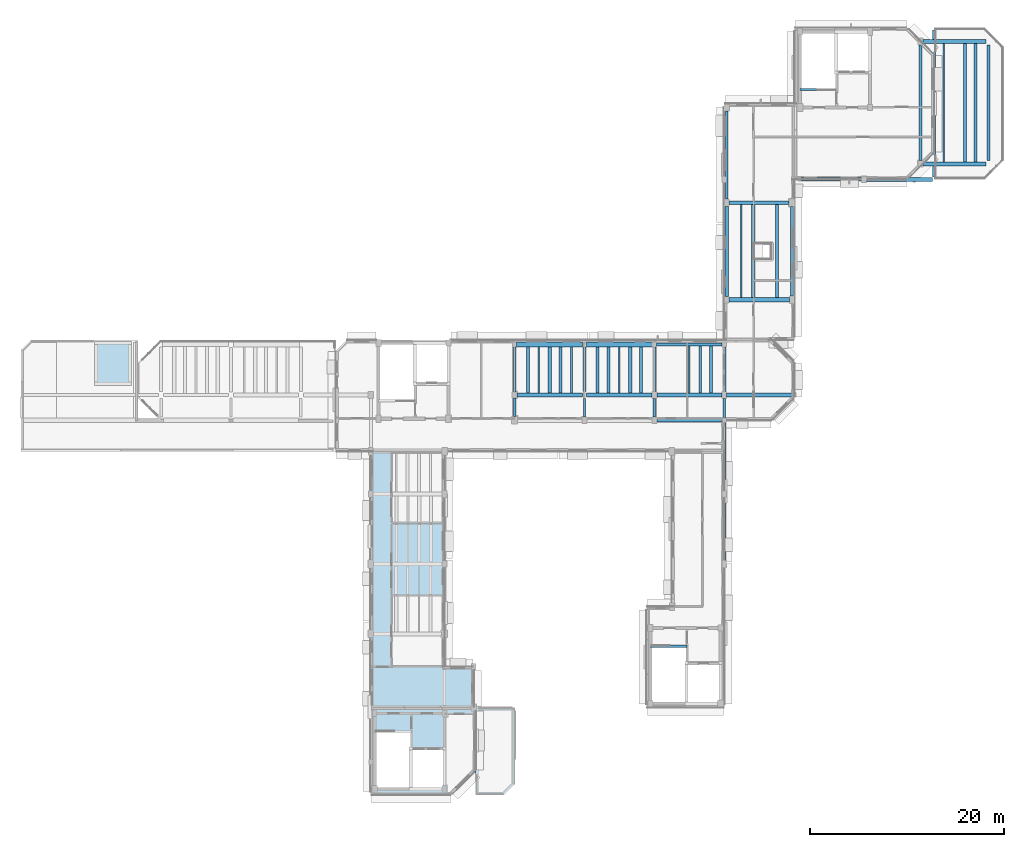
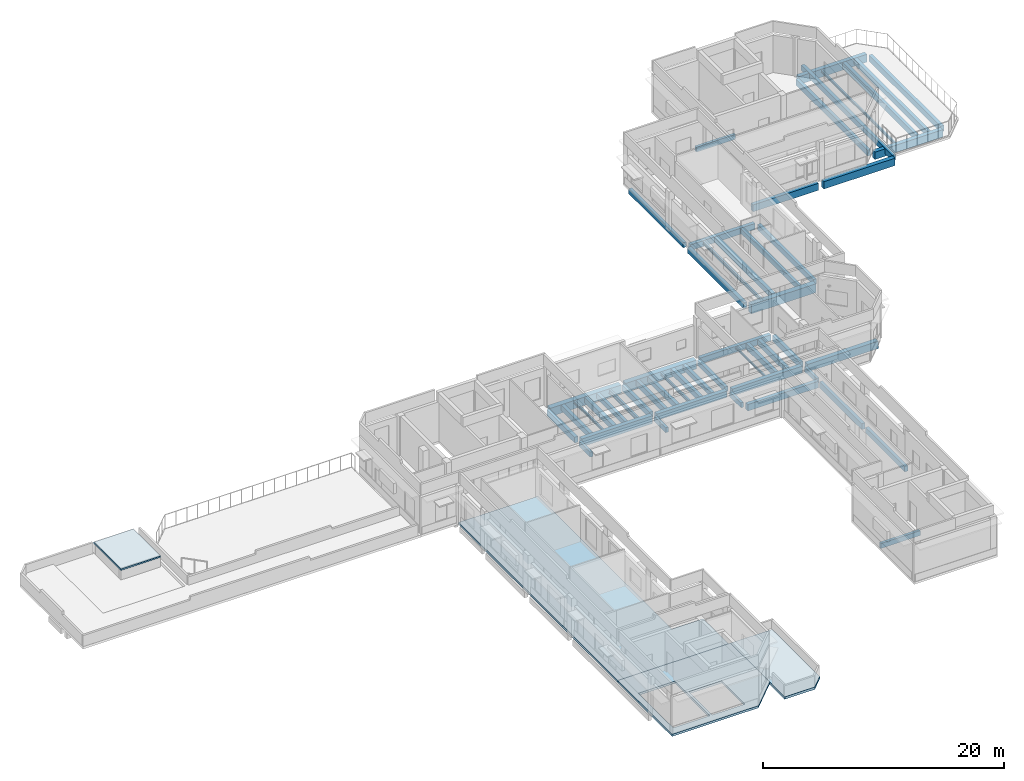
# One storey, part 4 of 17: 51 beams, 4 slabs.
"""IFC4 building model written with IfcOpenShell, lengths in metres."""

from ifc_helpers import new_model, si_unit, direction, frame, origin, origin_2d, place, context, subcontext, project, spatial, polyline, rectangle, i_section, outline, extrude, material, layer, layer_set, material_profile, profile_set, type_object, element, save


model = new_model("IFC4")

# Units and contexts
model_context = context("Model", 3, precision=1e-05, world=origin(), true_north=direction((0.0, 1.0)))
body_context = subcontext(model_context, "Body", "Model", "MODEL_VIEW")
ifc_project = project(units=[si_unit("LENGTHUNIT", "METRE"), si_unit("AREAUNIT", "SQUARE_METRE"), si_unit("VOLUMEUNIT", "CUBIC_METRE"), si_unit("PLANEANGLEUNIT", "RADIAN"), si_unit("MASSUNIT", "GRAM", prefix="KILO")], contexts=[model_context])

# Site, building, storey
site_placement = place(None, origin())
site = spatial("IfcSite", under=ifc_project, at=site_placement, CompositionType="ELEMENT")
building_placement = place(site_placement, origin())
building = spatial("IfcBuilding", under=site, at=building_placement, Name="Kelanivale Promenade Academy", CompositionType="ELEMENT")
storey_placement = place(building_placement, frame((0.0, 0.0, 20.199951171875)))
storey = spatial("IfcBuildingStorey", under=building, at=storey_placement, Name="L05", CompositionType="ELEMENT", Elevation=20.199951171875)

# Beams
ifc_material_1 = material(Name="Concrete C35/45", Category="concrete")
ifc_material_profile_1 = material_profile(ifc_material_1, rectangle(XDim=0.39990234375, YDim=0.64990234375, at=origin_2d()), Name="RC-BM 400x650")
ifc_profile_set_1 = profile_set([ifc_material_profile_1], Name="Concrete C35/45")
beam_type_1 = type_object("IfcBeamType", Name="BM-01 RC-BM 400x650", PredefinedType="BEAM", material=ifc_profile_set_1)
beam_1_placement = place(storey_placement, frame((101.419921875, 74.199951171875, -0.544921875), z_axis=(1.0, 0.0, 0.0), x_axis=(0.0, 1.0, 0.0)))
element("IfcBeam", 1, at=beam_1_placement, inside=storey, type_object=beam_type_1, Name="L05 girder BM-01", PredefinedType="BEAM", context=body_context, shape_type="SweptSolid", body=[
    extrude(rectangle(XDim=0.39990234375, YDim=0.64990234375, at=origin_2d()), origin(), (0.0, 0.0, 1.0), 6.735107421875),
])
ifc_material_profile_2 = material_profile(ifc_material_1, rectangle(XDim=0.39990234375, YDim=0.699951171875, at=origin_2d()), Name="RC-BM 400x700")
ifc_profile_set_2 = profile_set([ifc_material_profile_2], Name="Concrete C35/45")
beam_type_2 = type_object("IfcBeamType", Name="BM-02 RC-BM 400x700", PredefinedType="BEAM", material=ifc_profile_set_2)
beam_2_placement = place(storey_placement, frame((108.64501953125, 74.199951171875, -0.570068359375), z_axis=(1.0, 0.0, 0.0), x_axis=(0.0, 1.0, 0.0)))
element("IfcBeam", 2, at=beam_2_placement, inside=storey, type_object=beam_type_2, Name="L05 girder BM-02", PredefinedType="BEAM", context=body_context, shape_type="SweptSolid", body=[
    extrude(rectangle(XDim=0.39990234375, YDim=0.699951171875, at=origin_2d()), origin(), (0.0, 0.0, 1.0), 6.7099609375),
])
ifc_material_profile_3 = material_profile(ifc_material_1, rectangle(XDim=0.449951171875, YDim=0.75, at=origin_2d()), Name="RC-BM 450x750")
ifc_profile_set_3 = profile_set([ifc_material_profile_3], Name="Concrete C35/45")
beam_type_3 = type_object("IfcBeamType", Name="BM-04 RC-BM 450x750", PredefinedType="BEAM", material=ifc_profile_set_3)
beam_3_placement = place(storey_placement, frame((115.844970703125, 74.199951171875, -0.594970703125), z_axis=(1.0, 0.0, 0.0), x_axis=(0.0, 1.0, 0.0)))
element("IfcBeam", 3, at=beam_3_placement, inside=storey, type_object=beam_type_3, Name="L05 girder BM-04", PredefinedType="BEAM", context=body_context, shape_type="SweptSolid", body=[
    extrude(rectangle(XDim=0.449951171875, YDim=0.75, at=origin_2d()), origin(), (0.0, 0.0, 1.0), 6.784912109375),
])
ifc_material_profile_4 = material_profile(ifc_material_1, rectangle(XDim=0.5, YDim=0.85009765625, at=origin_2d()), Name="RC-BM 500x850")
ifc_profile_set_4 = profile_set([ifc_material_profile_4], Name="Concrete C35/45")
beam_type_4 = type_object("IfcBeamType", Name="BM-07 RC-BM 500x850", PredefinedType="BEAM", material=ifc_profile_set_4)
beam_4_placement = place(storey_placement, frame((94.195068359375, 79.39990234375, -0.64501953125), z_axis=(1.0, 0.0, 0.0), x_axis=(0.0, 1.0, 0.0)))
element("IfcBeam", 4, at=beam_4_placement, inside=storey, type_object=beam_type_4, Name="L05 girder BM-07", PredefinedType="BEAM", context=body_context, shape_type="SweptSolid", body=[
    extrude(rectangle(XDim=0.5, YDim=0.85009765625, at=origin_2d()), origin(), (0.0, 0.0, 1.0), 6.784912109375),
])
ifc_material_profile_5 = material_profile(ifc_material_1, rectangle(XDim=0.5, YDim=0.89990234375, at=origin_2d()), Name="RC-BM 500x900")
ifc_profile_set_5 = profile_set([ifc_material_profile_5], Name="Concrete C35/45")
beam_type_5 = type_object("IfcBeamType", Name="BM-08 RC-BM 500x900", PredefinedType="BEAM", material=ifc_profile_set_5)
beam_5_placement = place(storey_placement, frame((101.419921875, 79.39990234375, -0.669921875), z_axis=(1.0, 0.0, 0.0), x_axis=(0.0, 1.0, 0.0)))
element("IfcBeam", 5, at=beam_5_placement, inside=storey, type_object=beam_type_5, Name="L05 girder BM-08", PredefinedType="BEAM", context=body_context, shape_type="SweptSolid", body=[
    extrude(rectangle(XDim=0.5, YDim=0.89990234375, at=origin_2d()), origin(), (0.0, 0.0, 1.0), 6.760009765625),
])
beam_6_placement = place(storey_placement, frame((116.094970703125, 84.0, -0.669921875), z_axis=(1.0, 0.0, 0.0), x_axis=(0.0, 1.0, 0.0)))
element("IfcBeam", 6, at=beam_6_placement, inside=storey, type_object=beam_type_5, Name="L05 girder BM-08", PredefinedType="BEAM", context=body_context, shape_type="SweptSolid", body=[
    extrude(rectangle(XDim=0.5, YDim=0.89990234375, at=origin_2d()), origin(), (0.0, 0.0, 1.0), 6.2099609375),
])
ifc_material_profile_6 = material_profile(ifc_material_1, rectangle(XDim=0.35009765625, YDim=0.60009765625, at=origin_2d()), Name="RC-BM 350x600")
ifc_profile_set_6 = profile_set([ifc_material_profile_6], Name="Concrete C35/45")
beam_type_6 = type_object("IfcBeamType", Name="BM-09 RC-BM 350x600", PredefinedType="BEAM", material=ifc_profile_set_6)
beam_7_placement = place(storey_placement, frame((108.6201171875, 79.39990234375, -0.52001953125), z_axis=(1.0, 0.0, 0.0), x_axis=(0.0, 1.0, 0.0)))
element("IfcBeam", 7, at=beam_7_placement, inside=storey, type_object=beam_type_6, Name="L05 girder BM-09", PredefinedType="BEAM", context=body_context, shape_type="SweptSolid", body=[
    extrude(rectangle(XDim=0.35009765625, YDim=0.60009765625, at=origin_2d()), origin(), (0.0, 0.0, 1.0), 6.759765625),
])
beam_8_placement = place(storey_placement, frame((116.094970703125, 94.0, -0.52001953125), z_axis=(1.0, 0.0, 0.0), x_axis=(0.0, 1.0, 0.0)))
element("IfcBeam", 8, at=beam_8_placement, inside=storey, type_object=beam_type_6, Name="L05 girder BM-09", PredefinedType="BEAM", context=body_context, shape_type="SweptSolid", body=[
    extrude(rectangle(XDim=0.35009765625, YDim=0.60009765625, at=origin_2d()), origin(), (0.0, 0.0, 1.0), 6.18505859375),
])
ifc_material_profile_7 = material_profile(ifc_material_1, rectangle(XDim=0.35009765625, YDim=0.64990234375, at=origin_2d()), Name="RC-BM 350x650")
ifc_profile_set_7 = profile_set([ifc_material_profile_7], Name="Concrete C35/45")
beam_type_7 = type_object("IfcBeamType", Name="BM-10 RC-BM 350x650", PredefinedType="BEAM", material=ifc_profile_set_7)
beam_9_placement = place(storey_placement, frame((108.64501953125, 71.60009765625, -0.544921875), z_axis=(1.0, 0.0, 0.0), x_axis=(0.0, 1.0, 0.0)))
element("IfcBeam", 9, at=beam_9_placement, inside=storey, type_object=beam_type_7, Name="L05 girder BM-10", PredefinedType="BEAM", context=body_context, shape_type="SweptSolid", body=[
    extrude(rectangle(XDim=0.35009765625, YDim=0.64990234375, at=origin_2d()), origin(), (0.0, 0.0, 1.0), 6.784912109375),
])
ifc_material_profile_8 = material_profile(ifc_material_1, rectangle(XDim=0.35009765625, YDim=0.699951171875, at=origin_2d()), Name="RC-BM 350x700")
ifc_profile_set_8 = profile_set([ifc_material_profile_8], Name="Concrete C35/45")
beam_type_8 = type_object("IfcBeamType", Name="BM-11 RC-BM 350x700", PredefinedType="BEAM", material=ifc_profile_set_8)
beam_10_placement = place(storey_placement, frame((123.471923828125, 96.39990234375, -0.570068359375), z_axis=(1.0, 0.0, 0.0), x_axis=(0.0, 1.0, 0.0)))
element("IfcBeam", 10, at=beam_10_placement, inside=storey, type_object=beam_type_8, Name="L05 girder BM-11", PredefinedType="BEAM", context=body_context, shape_type="SweptSolid", body=[
    extrude(rectangle(XDim=0.35009765625, YDim=0.699951171875, at=origin_2d()), origin(), (0.0, 0.0, 1.0), 6.282958984375),
])
ifc_material_profile_9 = material_profile(ifc_material_1, rectangle(XDim=0.39990234375, YDim=0.75, at=origin_2d()), Name="RC-BM 400x750")
ifc_profile_set_9 = profile_set([ifc_material_profile_9], Name="Concrete C35/45")
beam_type_9 = type_object("IfcBeamType", Name="BM-13 RC-BM 400x750", PredefinedType="BEAM", material=ifc_profile_set_9)
beam_11_placement = place(storey_placement, frame((130.2451171875, 96.39990234375, -0.594970703125), z_axis=(1.0, 0.0, 0.0), x_axis=(0.0, 1.0, 0.0)))
element("IfcBeam", 11, at=beam_11_placement, inside=storey, type_object=beam_type_9, Name="L05 girder BM-13", PredefinedType="BEAM", context=body_context, shape_type="SweptSolid", body=[
    extrude(rectangle(XDim=0.39990234375, YDim=0.75, at=origin_2d()), origin(), (0.0, 0.0, 1.0), 6.784912109375),
])
beam_12_placement = place(storey_placement, frame((136.044921875, 98.0, -0.60986328125), z_axis=(1.0, 0.0, 0.0), x_axis=(0.0, 1.0, 0.0)))
element("IfcBeam", 12, at=beam_12_placement, inside=storey, type_object=beam_type_9, Name="L05 girder BM-13", PredefinedType="BEAM", context=body_context, shape_type="SweptSolid", body=[
    extrude(rectangle(XDim=0.39990234375, YDim=0.75, at=origin_2d()), origin(), (0.0, 0.0, 1.0), 6.510009765625),
])
ifc_material_profile_10 = material_profile(ifc_material_1, rectangle(XDim=0.39990234375, YDim=0.800048828125, at=origin_2d()), Name="RC-BM 400x800")
ifc_profile_set_10 = profile_set([ifc_material_profile_10], Name="Concrete C35/45")
beam_type_10 = type_object("IfcBeamType", Name="BM-14 RC-BM 400x800", PredefinedType="BEAM", material=ifc_profile_set_10)
beam_13_placement = place(storey_placement, frame((94.2451171875, 74.199951171875, -0.619873046875), z_axis=(1.0, 0.0, 0.0), x_axis=(0.0, 1.0, 0.0)))
element("IfcBeam", 13, at=beam_13_placement, inside=storey, type_object=beam_type_10, Name="L05 girder BM-14", PredefinedType="BEAM", context=body_context, shape_type="SweptSolid", body=[
    extrude(rectangle(XDim=0.39990234375, YDim=0.800048828125, at=origin_2d()), origin(), (0.0, 0.0, 1.0), 6.73486328125),
])
beam_14_placement = place(storey_placement, frame((136.044921875, 110.60009765625, -0.635009765625), z_axis=(1.0, 0.0, 0.0), x_axis=(0.0, 1.0, 0.0)))
element("IfcBeam", 14, at=beam_14_placement, inside=storey, type_object=beam_type_10, Name="L05 girder BM-14", PredefinedType="BEAM", context=body_context, shape_type="SweptSolid", body=[
    extrude(rectangle(XDim=0.39990234375, YDim=0.800048828125, at=origin_2d()), origin(), (0.0, 0.0, 1.0), 6.510009765625),
])
ifc_material_profile_11 = material_profile(ifc_material_1, rectangle(XDim=0.300048828125, YDim=0.5, at=origin_2d()), Name="RC-BM 300x500")
ifc_profile_set_11 = profile_set([ifc_material_profile_11], Name="Concrete C35/45")
beam_type_11 = type_object("IfcBeamType", Name="JS-01 RC-BM 300x500", PredefinedType="JOIST", material=ifc_profile_set_11)
beam_15_placement = place(storey_placement, frame((108.39990234375, 74.570068359375, -0.469970703125), z_axis=(0.0, 1.0, 0.0), x_axis=(-1.0, 0.0, 0.0)))
element("IfcBeam", 15, at=beam_15_placement, inside=storey, type_object=beam_type_11, Name="L05 beam JS-01", PredefinedType="JOIST", context=body_context, shape_type="SweptSolid", body=[
    extrude(rectangle(XDim=0.300048828125, YDim=0.5, at=origin_2d()), origin(), (0.0, 0.0, 1.0), 4.559814453125),
])
beam_16_placement = place(storey_placement, frame((115.85009765625, 94.3701171875, -0.469970703125), z_axis=(0.0, 1.0, 0.0), x_axis=(-1.0, 0.0, 0.0)))
element("IfcBeam", 16, at=beam_16_placement, inside=storey, type_object=beam_type_11, Name="L05 beam JS-01", PredefinedType="JOIST", context=body_context, shape_type="SweptSolid", body=[
    extrude(rectangle(XDim=0.300048828125, YDim=0.5, at=origin_2d()), origin(), (0.0, 0.0, 1.0), 9.059814453125),
])
for number, where, z_axis, x_axis, name in (
    (17, (98.735107421875, 74.39990234375, -0.469970703125), (0.0, 1.0, 0.0), (-1.0, 0.0, 0.0), "L05 secondary sub-beam JS-01"),
    (18, (107.031982421875, 74.39990234375, -0.469970703125), (0.0, 1.0, 0.0), (-1.0, 0.0, 0.0), "L05 secondary sub-beam JS-01"),
):
    element("IfcBeam", number, at=place(storey_placement, frame(where, z_axis=z_axis, x_axis=x_axis)), inside=storey, type_object=beam_type_11, Name=name, PredefinedType="JOIST", context=body_context, shape_type="SweptSolid", body=[
        extrude(rectangle(XDim=0.300048828125, YDim=0.5, at=origin_2d()), origin(), (0.0, 0.0, 1.0), 4.75),
    ])
beam_17_placement = place(storey_placement, frame((121.04296875, 84.25, -0.469970703125), z_axis=(0.0, 1.0, 0.0), x_axis=(-1.0, 0.0, 0.0)))
element("IfcBeam", 19, at=beam_17_placement, inside=storey, type_object=beam_type_11, Name="L05 secondary sub-beam JS-01", PredefinedType="JOIST", context=body_context, shape_type="SweptSolid", body=[
    extrude(rectangle(XDim=0.300048828125, YDim=0.5, at=origin_2d()), origin(), (0.0, 0.0, 1.0), 9.574951171875),
])
ifc_material_profile_12 = material_profile(ifc_material_1, rectangle(XDim=0.300048828125, YDim=0.550048828125, at=origin_2d()), Name="RC-BM 300x550")
ifc_profile_set_12 = profile_set([ifc_material_profile_12], Name="Concrete C35/45")
beam_type_12 = type_object("IfcBeamType", Name="JS-02 RC-BM 300x550", PredefinedType="JOIST", material=ifc_profile_set_12)
beam_18_placement = place(storey_placement, frame((115.60009765625, 57.169921875, -0.494873046875), z_axis=(0.0, 1.0, 0.0), x_axis=(-1.0, 0.0, 0.0)))
element("IfcBeam", 20, at=beam_18_placement, inside=storey, type_object=beam_type_12, Name="L05 beam JS-02", PredefinedType="JOIST", context=body_context, shape_type="SweptSolid", body=[
    extrude(rectangle(XDim=0.300048828125, YDim=0.550048828125, at=origin_2d()), origin(), (0.0, 0.0, 1.0), 6.53515625),
])
beam_19_placement = place(storey_placement, frame((122.550048828125, 84.3701171875, -0.494873046875), z_axis=(0.0, 1.0, 0.0), x_axis=(-1.0, 0.0, 0.0)))
element("IfcBeam", 21, at=beam_19_placement, inside=storey, type_object=beam_type_12, Name="L05 beam JS-02", PredefinedType="JOIST", context=body_context, shape_type="SweptSolid", body=[
    extrude(rectangle(XDim=0.300048828125, YDim=0.550048828125, at=origin_2d()), origin(), (0.0, 0.0, 1.0), 9.259765625),
])
ifc_material_profile_13 = material_profile(ifc_material_1, rectangle(XDim=0.300048828125, YDim=0.60009765625, at=origin_2d()), Name="RC-BM 300x600")
ifc_profile_set_13 = profile_set([ifc_material_profile_13], Name="Concrete C35/45")
beam_type_13 = type_object("IfcBeamType", Name="JS-03 RC-BM 300x600", PredefinedType="JOIST", material=ifc_profile_set_13)
beam_20_placement = place(storey_placement, frame((94.0, 74.52001953125, -0.52001953125), z_axis=(0.0, 1.0, 0.0), x_axis=(-1.0, 0.0, 0.0)))
element("IfcBeam", 22, at=beam_20_placement, inside=storey, type_object=beam_type_13, Name="L05 beam JS-03", PredefinedType="JOIST", context=body_context, shape_type="SweptSolid", body=[
    extrude(rectangle(XDim=0.300048828125, YDim=0.60009765625, at=origin_2d()), origin(), (0.0, 0.0, 1.0), 4.635009765625),
])
beam_21_placement = place(storey_placement, frame((115.60009765625, 64.294921875, -0.52001953125), z_axis=(0.0, 1.0, 0.0), x_axis=(-1.0, 0.0, 0.0)))
element("IfcBeam", 23, at=beam_21_placement, inside=storey, type_object=beam_type_13, Name="L05 beam JS-03", PredefinedType="JOIST", context=body_context, shape_type="SweptSolid", body=[
    extrude(rectangle(XDim=0.300048828125, YDim=0.60009765625, at=origin_2d()), origin(), (0.0, 0.0, 1.0), 7.06005859375),
])
beam_22_placement = place(storey_placement, frame((135.800048828125, 98.320068359375, -0.52001953125), z_axis=(0.0, 1.0, 0.0), x_axis=(-1.0, 0.0, 0.0)))
element("IfcBeam", 24, at=beam_22_placement, inside=storey, type_object=beam_type_13, Name="L05 beam JS-03", PredefinedType="JOIST", context=body_context, shape_type="SweptSolid", body=[
    extrude(rectangle(XDim=0.300048828125, YDim=0.60009765625, at=origin_2d()), origin(), (0.0, 0.0, 1.0), 11.909912109375),
])
beam_23_placement = place(storey_placement, frame((102.54296875, 74.39990234375, -0.52001953125), z_axis=(0.0, 1.0, 0.0), x_axis=(-1.0, 0.0, 0.0)))
element("IfcBeam", 25, at=beam_23_placement, inside=storey, type_object=beam_type_13, Name="L05 secondary sub-beam JS-03", PredefinedType="JOIST", context=body_context, shape_type="SweptSolid", body=[
    extrude(rectangle(XDim=0.300048828125, YDim=0.60009765625, at=origin_2d()), origin(), (0.0, 0.0, 1.0), 4.75),
])
beam_24_placement = place(storey_placement, frame((113.117919921875, 74.39990234375, -0.52001953125), z_axis=(0.0, 1.0, 0.0), x_axis=(-1.0, 0.0, 0.0)))
element("IfcBeam", 26, at=beam_24_placement, inside=storey, type_object=beam_type_13, Name="L05 secondary sub-beam JS-03", PredefinedType="JOIST", context=body_context, shape_type="SweptSolid", body=[
    extrude(rectangle(XDim=0.300048828125, YDim=0.60009765625, at=origin_2d()), origin(), (0.0, 0.0, 1.0), 4.8251953125),
])
beam_25_placement = place(storey_placement, frame((140.385009765625, 98.199951171875, -0.534912109375), z_axis=(0.0, 1.0, 0.0), x_axis=(-1.0, 0.0, 0.0)))
element("IfcBeam", 27, at=beam_25_placement, inside=storey, type_object=beam_type_13, Name="L05 secondary sub-beam JS-03", PredefinedType="JOIST", context=body_context, shape_type="SweptSolid", body=[
    extrude(rectangle(XDim=0.300048828125, YDim=0.60009765625, at=origin_2d()), origin(), (0.0, 0.0, 1.0), 12.199951171875),
])
ifc_material_profile_14 = material_profile(ifc_material_1, rectangle(XDim=0.320068359375, YDim=0.550048828125, at=origin_2d()), Name="RC-BM 320x550")
ifc_profile_set_14 = profile_set([ifc_material_profile_14], Name="Concrete C35/45")
beam_type_14 = type_object("IfcBeamType", Name="JS-04 RC-BM 320x550", PredefinedType="JOIST", material=ifc_profile_set_14)
beam_26_placement = place(storey_placement, frame((137.199951171875, 96.64501953125, -0.494873046875), z_axis=(0.0, 1.0, 0.0), x_axis=(-1.0, 0.0, 0.0)))
element("IfcBeam", 28, at=beam_26_placement, inside=storey, type_object=beam_type_14, Name="L05 beam JS-04", PredefinedType="JOIST", context=body_context, shape_type="SweptSolid", body=[
    extrude(rectangle(XDim=0.320068359375, YDim=0.550048828125, at=origin_2d()), origin(), (0.0, 0.0, 1.0), 15.10986328125),
])
for number, where, z_axis, x_axis, name in (
    (29, (95.367919921875, 74.39990234375, -0.494873046875), (0.0, 1.0, 0.0), (-1.0, 0.0, 0.0), "L05 secondary sub-beam JS-04"),
    (30, (103.6650390625, 74.39990234375, -0.494873046875), (0.0, 1.0, 0.0), (-1.0, 0.0, 0.0), "L05 secondary sub-beam JS-04"),
):
    element("IfcBeam", number, at=place(storey_placement, frame(where, z_axis=z_axis, x_axis=x_axis)), inside=storey, type_object=beam_type_14, Name=name, PredefinedType="JOIST", context=body_context, shape_type="SweptSolid", body=[
        extrude(rectangle(XDim=0.320068359375, YDim=0.550048828125, at=origin_2d()), origin(), (0.0, 0.0, 1.0), 4.75),
    ])
beam_27_placement = place(storey_placement, frame((114.237060546875, 74.39990234375, -0.494873046875), z_axis=(0.0, 1.0, 0.0), x_axis=(-1.0, 0.0, 0.0)))
element("IfcBeam", 31, at=beam_27_placement, inside=storey, type_object=beam_type_14, Name="L05 secondary sub-beam JS-04", PredefinedType="JOIST", context=body_context, shape_type="SweptSolid", body=[
    extrude(rectangle(XDim=0.320068359375, YDim=0.550048828125, at=origin_2d()), origin(), (0.0, 0.0, 1.0), 4.8251953125),
])
beam_28_placement = place(storey_placement, frame((141.469970703125, 98.199951171875, -0.510009765625), z_axis=(0.0, 1.0, 0.0), x_axis=(-1.0, 0.0, 0.0)))
element("IfcBeam", 32, at=beam_28_placement, inside=storey, type_object=beam_type_14, Name="L05 secondary sub-beam JS-04", PredefinedType="JOIST", context=body_context, shape_type="SweptSolid", body=[
    extrude(rectangle(XDim=0.320068359375, YDim=0.550048828125, at=origin_2d()), origin(), (0.0, 0.0, 1.0), 12.199951171875),
])
ifc_material_profile_15 = material_profile(ifc_material_1, rectangle(XDim=0.320068359375, YDim=0.60009765625, at=origin_2d()), Name="RC-BM 320x600")
ifc_profile_set_15 = profile_set([ifc_material_profile_15], Name="Concrete C35/45")
beam_type_15 = type_object("IfcBeamType", Name="JS-05 RC-BM 320x600", PredefinedType="JOIST", material=ifc_profile_set_15)
beam_29_placement = place(storey_placement, frame((101.199951171875, 74.544921875, -0.52001953125), z_axis=(0.0, 1.0, 0.0), x_axis=(-1.0, 0.0, 0.0)))
element("IfcBeam", 33, at=beam_29_placement, inside=storey, type_object=beam_type_15, Name="L05 beam JS-05", PredefinedType="JOIST", context=body_context, shape_type="SweptSolid", body=[
    extrude(rectangle(XDim=0.320068359375, YDim=0.60009765625, at=origin_2d()), origin(), (0.0, 0.0, 1.0), 4.5849609375),
])
beam_30_placement = place(storey_placement, frame((115.60009765625, 74.570068359375, -0.52001953125), z_axis=(0.0, 1.0, 0.0), x_axis=(-1.0, 0.0, 0.0)))
element("IfcBeam", 34, at=beam_30_placement, inside=storey, type_object=beam_type_15, Name="L05 beam JS-05", PredefinedType="JOIST", context=body_context, shape_type="SweptSolid", body=[
    extrude(rectangle(XDim=0.320068359375, YDim=0.60009765625, at=origin_2d()), origin(), (0.0, 0.0, 1.0), 4.559814453125),
])
beam_31_placement = place(storey_placement, frame((142.800048828125, 98.320068359375, -0.534912109375), z_axis=(0.0, 1.0, 0.0), x_axis=(-1.0, 0.0, 0.0)))
element("IfcBeam", 35, at=beam_31_placement, inside=storey, type_object=beam_type_15, Name="L05 beam JS-05", PredefinedType="JOIST", context=body_context, shape_type="SweptSolid", body=[
    extrude(rectangle(XDim=0.320068359375, YDim=0.60009765625, at=origin_2d()), origin(), (0.0, 0.0, 1.0), 11.909912109375),
])
ifc_material_profile_16 = material_profile(ifc_material_1, rectangle(XDim=0.35009765625, YDim=0.550048828125, at=origin_2d()), Name="RC-BM 350x550")
ifc_profile_set_16 = profile_set([ifc_material_profile_16], Name="Concrete C35/45")
beam_type_16 = type_object("IfcBeamType", Name="JS-06 RC-BM 350x550", PredefinedType="JOIST", material=ifc_profile_set_16)
beam_32_placement = place(storey_placement, frame((115.85009765625, 84.320068359375, -0.494873046875), z_axis=(0.0, 1.0, 0.0), x_axis=(-1.0, 0.0, 0.0)))
element("IfcBeam", 36, at=beam_32_placement, inside=storey, type_object=beam_type_16, Name="L05 beam JS-06", PredefinedType="JOIST", context=body_context, shape_type="SweptSolid", body=[
    extrude(rectangle(XDim=0.35009765625, YDim=0.550048828125, at=origin_2d()), origin(), (0.0, 0.0, 1.0), 9.309814453125),
])
for number, where, z_axis, x_axis, name in (
    (37, (97.613037109375, 74.39990234375, -0.494873046875), (0.0, 1.0, 0.0), (-1.0, 0.0, 0.0), "L05 secondary sub-beam JS-06"),
    (38, (105.909912109375, 74.39990234375, -0.494873046875), (0.0, 1.0, 0.0), (-1.0, 0.0, 0.0), "L05 secondary sub-beam JS-06"),
):
    element("IfcBeam", number, at=place(storey_placement, frame(where, z_axis=z_axis, x_axis=x_axis)), inside=storey, type_object=beam_type_16, Name=name, PredefinedType="JOIST", context=body_context, shape_type="SweptSolid", body=[
        extrude(rectangle(XDim=0.35009765625, YDim=0.550048828125, at=origin_2d()), origin(), (0.0, 0.0, 1.0), 4.75),
    ])
beam_33_placement = place(storey_placement, frame((118.569091796875, 84.25, -0.494873046875), z_axis=(0.0, 1.0, 0.0), x_axis=(-1.0, 0.0, 0.0)))
element("IfcBeam", 39, at=beam_33_placement, inside=storey, type_object=beam_type_16, Name="L05 secondary sub-beam JS-06", PredefinedType="JOIST", context=body_context, shape_type="SweptSolid", body=[
    extrude(rectangle(XDim=0.35009765625, YDim=0.550048828125, at=origin_2d()), origin(), (0.0, 0.0, 1.0), 9.574951171875),
])
ifc_material_profile_17 = material_profile(ifc_material_1, rectangle(XDim=0.25, YDim=0.5, at=origin_2d()), Name="RC-BM 250x500")
ifc_profile_set_17 = profile_set([ifc_material_profile_17], Name="Concrete C35/45")
beam_type_17 = type_object("IfcBeamType", Name="LN-02 RC-BM 250x500", PredefinedType="LINTEL", material=ifc_profile_set_17)
beam_34_placement = place(storey_placement, frame((94.0, 71.9951171875, -0.469970703125), z_axis=(0.0, 1.0, 0.0), x_axis=(-1.0, 0.0, 0.0)))
element("IfcBeam", 40, at=beam_34_placement, inside=storey, type_object=beam_type_17, Name="L05 beam LN-02", PredefinedType="LINTEL", context=body_context, shape_type="SweptSolid", body=[
    extrude(rectangle(XDim=0.25, YDim=0.5, at=origin_2d()), origin(), (0.0, 0.0, 1.0), 1.884765625),
])
beam_35_placement = place(storey_placement, frame((101.199951171875, 71.919921875, -0.469970703125), z_axis=(0.0, 1.0, 0.0), x_axis=(-1.0, 0.0, 0.0)))
element("IfcBeam", 41, at=beam_35_placement, inside=storey, type_object=beam_type_17, Name="L05 beam LN-02", PredefinedType="LINTEL", context=body_context, shape_type="SweptSolid", body=[
    extrude(rectangle(XDim=0.25, YDim=0.5, at=origin_2d()), origin(), (0.0, 0.0, 1.0), 1.93505859375),
])
beam_36_placement = place(storey_placement, frame((108.39990234375, 71.919921875, -0.469970703125), z_axis=(0.0, 1.0, 0.0), x_axis=(-1.0, 0.0, 0.0)))
element("IfcBeam", 42, at=beam_36_placement, inside=storey, type_object=beam_type_17, Name="L05 beam LN-02", PredefinedType="LINTEL", context=body_context, shape_type="SweptSolid", body=[
    extrude(rectangle(XDim=0.25, YDim=0.5, at=origin_2d()), origin(), (0.0, 0.0, 1.0), 1.91015625),
])
beam_37_placement = place(storey_placement, frame((115.60009765625, 71.844970703125, -0.469970703125), z_axis=(0.0, 1.0, 0.0), x_axis=(-1.0, 0.0, 0.0)))
element("IfcBeam", 43, at=beam_37_placement, inside=storey, type_object=beam_type_17, Name="L05 beam LN-02", PredefinedType="LINTEL", context=body_context, shape_type="SweptSolid", body=[
    extrude(rectangle(XDim=0.25, YDim=0.5, at=origin_2d()), origin(), (0.0, 0.0, 1.0), 1.985107421875),
])
beam_38_placement = place(storey_placement, frame((108.0, 48.344970703125, -0.25), z_axis=(1.0, 0.0, 0.0), x_axis=(0.0, 1.0, 0.0)))
element("IfcBeam", 44, at=beam_38_placement, inside=storey, type_object=beam_type_17, Name="CORE-3 stair arrival trimmer beam L05", PredefinedType="LINTEL", context=body_context, shape_type="SweptSolid", body=[
    extrude(rectangle(XDim=0.25, YDim=0.5, at=origin_2d()), origin(), (0.0, 0.0, 1.0), 3.77490234375),
])
beam_39_placement = place(storey_placement, frame((123.39990234375, 105.655029296875, -0.25), z_axis=(1.0, 0.0, 0.0), x_axis=(0.0, 1.0, 0.0)))
element("IfcBeam", 45, at=beam_39_placement, inside=storey, type_object=beam_type_17, Name="CORE-5 stair arrival trimmer beam L05", PredefinedType="LINTEL", context=body_context, shape_type="SweptSolid", body=[
    extrude(rectangle(XDim=0.25, YDim=0.5, at=origin_2d()), origin(), (0.0, 0.0, 1.0), 3.775146484375),
])
ifc_material_2 = material(Name="Steel S355", Category="steel")
ifc_material_profile_18 = material_profile(ifc_material_2, i_section(OverallWidth=0.13330078125, OverallDepth=0.203125, WebThickness=0.005615234375, FlangeThickness=0.0078125, FilletRadius=0.007568359375, at=origin_2d()), Name="UB 203x133x25")
ifc_profile_set_18 = profile_set([ifc_material_profile_18], Name="Steel S355")
beam_type_18 = type_object("IfcBeamType", Name="SB-01 UB 203x133x25", PredefinedType="JOIST", material=ifc_profile_set_18)
beam_40_placement = place(storey_placement, frame((112.0, 74.39990234375, -0.322021484375), z_axis=(0.0, 1.0, 0.0), x_axis=(-1.0, 0.0, 0.0)))
element("IfcBeam", 46, at=beam_40_placement, inside=storey, type_object=beam_type_18, Name="L05 secondary sub-beam SB-01", PredefinedType="JOIST", context=body_context, shape_type="SweptSolid", body=[
    extrude(i_section(OverallWidth=0.13330078125, OverallDepth=0.203125, WebThickness=0.005615234375, FlangeThickness=0.0078125, FilletRadius=0.007568359375, at=origin_2d()), origin(), (0.0, 0.0, 1.0), 4.8251953125),
])
ifc_material_profile_19 = material_profile(ifc_material_2, i_section(OverallWidth=0.14599609375, OverallDepth=0.25146484375, WebThickness=0.006103515625, FlangeThickness=0.008544921875, FilletRadius=0.007568359375, at=origin_2d()), Name="UB 254x146x31")
ifc_profile_set_19 = profile_set([ifc_material_profile_19], Name="Steel S355")
beam_type_19 = type_object("IfcBeamType", Name="SB-02 UB 254x146x31", PredefinedType="JOIST", material=ifc_profile_set_19)
beam_41_placement = place(storey_placement, frame((96.489990234375, 74.39990234375, -0.345947265625), z_axis=(0.0, 1.0, 0.0), x_axis=(-1.0, 0.0, 0.0)))
element("IfcBeam", 47, at=beam_41_placement, inside=storey, type_object=beam_type_19, Name="L05 secondary sub-beam SB-02", PredefinedType="JOIST", context=body_context, shape_type="SweptSolid", body=[
    extrude(i_section(OverallWidth=0.14599609375, OverallDepth=0.25146484375, WebThickness=0.006103515625, FlangeThickness=0.008544921875, FilletRadius=0.007568359375, at=origin_2d()), origin(), (0.0, 0.0, 1.0), 4.75),
])
beam_42_placement = place(storey_placement, frame((138.215087890625, 98.199951171875, -0.36083984375), z_axis=(0.0, 1.0, 0.0), x_axis=(-1.0, 0.0, 0.0)))
element("IfcBeam", 48, at=beam_42_placement, inside=storey, type_object=beam_type_19, Name="L05 secondary sub-beam SB-02", PredefinedType="JOIST", context=body_context, shape_type="SweptSolid", body=[
    extrude(i_section(OverallWidth=0.14599609375, OverallDepth=0.25146484375, WebThickness=0.006103515625, FlangeThickness=0.008544921875, FilletRadius=0.007568359375, at=origin_2d()), origin(), (0.0, 0.0, 1.0), 12.199951171875),
])
ifc_material_profile_20 = material_profile(ifc_material_2, i_section(OverallWidth=0.1650390625, OverallDepth=0.303466796875, WebThickness=0.006103515625, FlangeThickness=0.01025390625, FilletRadius=0.0087890625, at=origin_2d()), Name="UB 305x165x40")
ifc_profile_set_20 = profile_set([ifc_material_profile_20], Name="Steel S355")
beam_type_20 = type_object("IfcBeamType", Name="SB-03 UB 305x165x40", PredefinedType="BEAM", material=ifc_profile_set_20)
beam_43_placement = place(storey_placement, frame((104.787109375, 74.39990234375, -0.3720703125), z_axis=(0.0, 1.0, 0.0), x_axis=(-1.0, 0.0, 0.0)))
element("IfcBeam", 49, at=beam_43_placement, inside=storey, type_object=beam_type_20, Name="L05 secondary sub-beam SB-03", PredefinedType="BEAM", context=body_context, shape_type="SweptSolid", body=[
    extrude(i_section(OverallWidth=0.1650390625, OverallDepth=0.303466796875, WebThickness=0.006103515625, FlangeThickness=0.01025390625, FilletRadius=0.0087890625, at=origin_2d()), origin(), (0.0, 0.0, 1.0), 4.75),
])
ifc_material_profile_21 = material_profile(ifc_material_2, i_section(OverallWidth=0.17138671875, OverallDepth=0.35498046875, WebThickness=0.00732421875, FlangeThickness=0.011474609375, FilletRadius=0.01025390625, at=origin_2d()), Name="UB 356x171x51")
ifc_profile_set_21 = profile_set([ifc_material_profile_21], Name="Steel S355")
beam_type_21 = type_object("IfcBeamType", Name="SB-04 UB 356x171x51", PredefinedType="BEAM", material=ifc_profile_set_21)
beam_44_placement = place(storey_placement, frame((117.33203125, 84.25, -0.39697265625), z_axis=(0.0, 1.0, 0.0), x_axis=(-1.0, 0.0, 0.0)))
element("IfcBeam", 50, at=beam_44_placement, inside=storey, type_object=beam_type_21, Name="L05 secondary sub-beam SB-04", PredefinedType="BEAM", context=body_context, shape_type="SweptSolid", body=[
    extrude(i_section(OverallWidth=0.17138671875, OverallDepth=0.35498046875, WebThickness=0.00732421875, FlangeThickness=0.011474609375, FilletRadius=0.01025390625, at=origin_2d()), origin(), (0.0, 0.0, 1.0), 9.574951171875),
])
ifc_material_profile_22 = material_profile(ifc_material_2, i_section(OverallWidth=0.177978515625, OverallDepth=0.406494140625, WebThickness=0.0078125, FlangeThickness=0.0126953125, FilletRadius=0.01025390625, at=origin_2d()), Name="UB 406x178x60")
ifc_profile_set_22 = profile_set([ifc_material_profile_22], Name="Steel S355")
beam_type_22 = type_object("IfcBeamType", Name="SB-05 UB 406x178x60", PredefinedType="BEAM", material=ifc_profile_set_22)
beam_45_placement = place(storey_placement, frame((99.85791015625, 74.39990234375, -0.4228515625), z_axis=(0.0, 1.0, 0.0), x_axis=(-1.0, 0.0, 0.0)))
element("IfcBeam", 51, at=beam_45_placement, inside=storey, type_object=beam_type_22, Name="L05 secondary sub-beam SB-05", PredefinedType="BEAM", context=body_context, shape_type="SweptSolid", body=[
    extrude(i_section(OverallWidth=0.177978515625, OverallDepth=0.406494140625, WebThickness=0.0078125, FlangeThickness=0.0126953125, FilletRadius=0.01025390625, at=origin_2d()), origin(), (0.0, 0.0, 1.0), 4.75),
])

# Slabs
ifc_layer_1 = layer(ifc_material_1, 0.219970703125)
ifc_layer_set_1 = layer_set([ifc_layer_1], Name="Concrete C35/45")
slab_type_1 = type_object("IfcSlabType", Name="FS-01 Slab 220mm", PredefinedType="FLOOR", material=ifc_layer_set_1)
slab_1_placement = place(storey_placement, frame((0.0, 0.0, -0.219970703125)))
element("IfcSlab", 52, at=slab_1_placement, inside=storey, type_object=slab_type_1, Name="L05 structural slab SLB-L05-V4S", PredefinedType="FLOOR", context=body_context, shape_type="SweptSolid", body=[
    extrude(outline(polyline([(90.0, 42.0), (79.199951171875, 42.0), (79.199951171875, 33.0), (87.47998046875, 33.0), (90.0, 35.52001953125), (90.0, 42.0)]), holes=[polyline([(86.635009765625, 33.764892578125), (83.485107421875, 33.764892578125), (83.485107421875, 37.625), (86.635009765625, 37.625), (86.635009765625, 33.764892578125)]), polyline([(83.264892578125, 39.544921875), (83.264892578125, 33.764892578125), (79.764892578125, 33.764892578125), (79.764892578125, 39.544921875), (83.264892578125, 39.544921875)])]), origin(), (0.0, 0.0, 1.0), 0.219970703125),
])
slab_2_placement = place(storey_placement, frame((0.0, 0.0, -0.219970703125)))
element("IfcSlab", 53, at=slab_2_placement, inside=storey, type_object=slab_type_1, Name="L05 structural slab SLB-L05-V4SP", PredefinedType="FLOOR", context=body_context, shape_type="SweptSolid", body=[
    extrude(outline(polyline([(79.199951171875, 68.39990234375), (79.199951171875, 42.0), (89.800048828125, 42.0), (89.800048828125, 46.199951171875), (86.800048828125, 46.199951171875), (86.800048828125, 68.39990234375), (79.199951171875, 68.39990234375)])), origin(), (0.0, 0.0, 1.0), 0.219970703125),
])
ifc_layer_2 = layer(ifc_material_1, 0.239990234375)
ifc_layer_set_2 = layer_set([ifc_layer_2], Name="Concrete C35/45")
slab_type_2 = type_object("IfcSlabType", Name="RS-01 Slab 240mm", PredefinedType="ROOF", material=ifc_layer_set_2)
slab_3_placement = place(storey_placement, frame((0.0, 0.0, -0.239990234375)))
element("IfcSlab", 54, at=slab_3_placement, inside=storey, type_object=slab_type_2, Name="L05 planted roof slab RF-L05-SE", PredefinedType="ROOF", context=body_context, shape_type="SweptSolid", body=[
    extrude(outline(polyline([(94.0, 34.1201171875), (94.0, 42.0), (90.0, 42.0), (90.0, 33.0), (92.8798828125, 33.0), (94.0, 34.1201171875)])), origin(), (0.0, 0.0, 1.0), 0.239990234375),
])
ifc_layer_3 = layer(ifc_material_1, 0.139892578125)
ifc_layer_set_3 = layer_set([ifc_layer_3], Name="Concrete C35/45")
slab_type_3 = type_object("IfcSlabType", Name="RS-03 Slab 140mm", PredefinedType="ROOF", material=ifc_layer_set_3)
slab_4_placement = place(storey_placement, frame((0.0, 0.0, 0.9599609375)))
element("IfcSlab", 55, at=slab_4_placement, inside=storey, type_object=slab_type_3, Name="CORE-4 lift overrun roof slab", PredefinedType="ROOF", context=body_context, shape_type="SweptSolid", body=[
    extrude(outline(polyline([(50.7548828125, 75.195068359375), (54.56494140625, 75.195068359375), (54.56494140625, 79.715087890625), (50.7548828125, 79.715087890625), (50.7548828125, 75.195068359375)])), origin(), (0.0, 0.0, 1.0), 0.14013671875),
])

save(model, "model.ifc")
